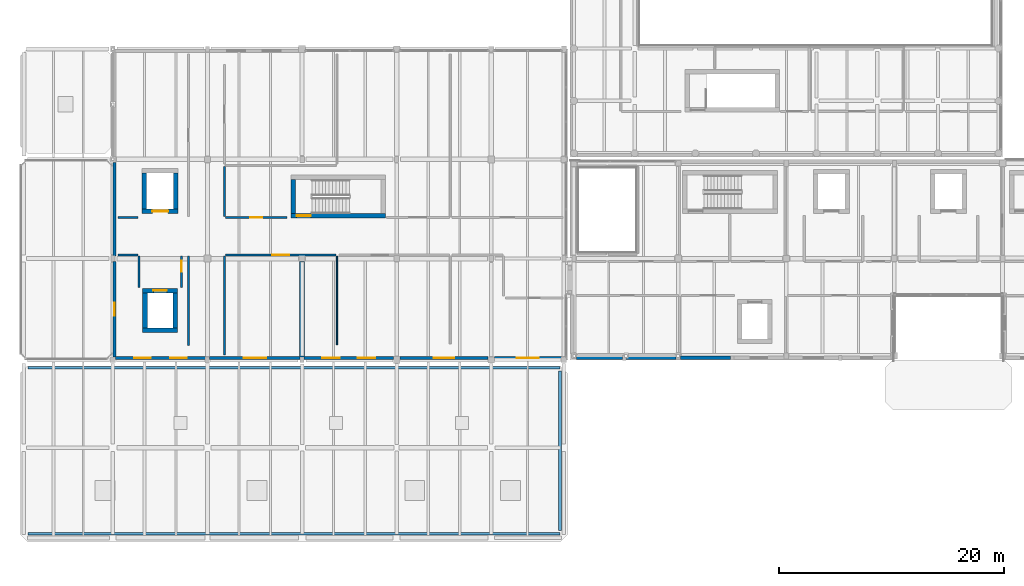
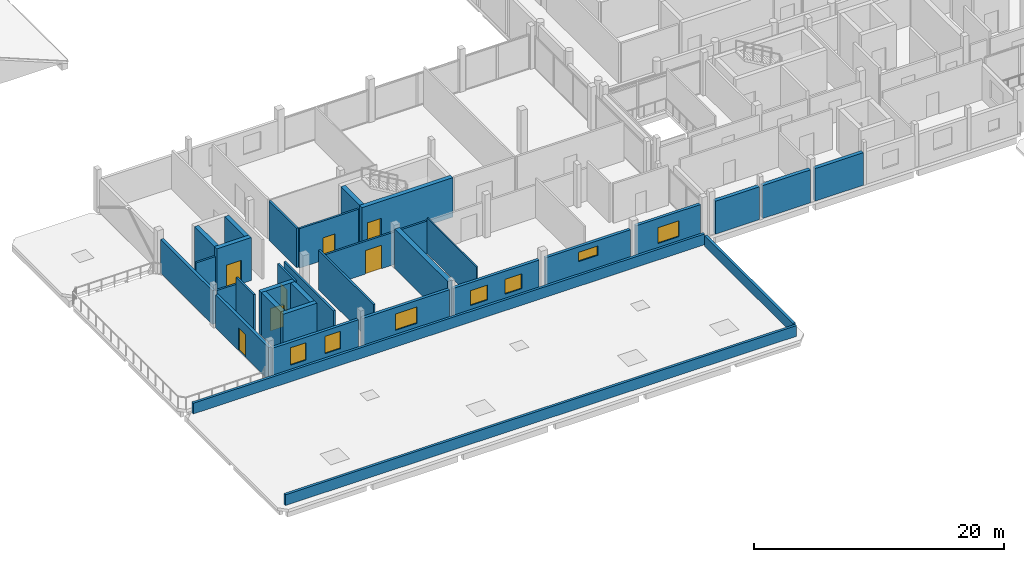
# One storey, part 40 of 66: 33 walls, 7 doors, 7 windows, 14 openings.
"""IFC4 building model written with IfcOpenShell, lengths in metres."""

from ifc_helpers import new_model, si_unit, direction, frame, frame_2d, origin, place, context, subcontext, project, spatial, rectangle, extrude, material, layer, layer_set, type_object, element, fill, save


model = new_model("IFC4")

# Units and contexts
model_context = context("Model", 3, precision=1e-05, world=origin(), true_north=direction((0.0, 1.0)))
body_context = subcontext(model_context, "Body", "Model", "MODEL_VIEW")
ifc_project = project(units=[si_unit("LENGTHUNIT", "METRE"), si_unit("AREAUNIT", "SQUARE_METRE"), si_unit("VOLUMEUNIT", "CUBIC_METRE"), si_unit("PLANEANGLEUNIT", "RADIAN"), si_unit("MASSUNIT", "GRAM", prefix="KILO")], contexts=[model_context])

# Site, building, storey
site_placement = place(None, origin())
site = spatial("IfcSite", under=ifc_project, at=site_placement, CompositionType="ELEMENT")
building_placement = place(site_placement, origin())
building = spatial("IfcBuilding", under=site, at=building_placement, Name="Birchvale Park Specialist Clinic", CompositionType="ELEMENT")
storey_placement = place(building_placement, frame((0.0, 0.0, 5.39990234375)))
storey = spatial("IfcBuildingStorey", under=building, at=storey_placement, Name="L01", CompositionType="ELEMENT", Elevation=5.39990234375)

# Wall, opening, door
ifc_material_1 = material(Name="Concrete C40/50", Category="concrete")
ifc_layer_1 = layer(ifc_material_1, 0.39990234375)
ifc_layer_set_1 = layer_set([ifc_layer_1], Name="Concrete C40/50")
wall_type_1 = type_object("IfcWallType", Name="WL-CW-120", PredefinedType="SHEAR", material=ifc_layer_set_1)
wall_1_placement = place(storey_placement, frame((27.0, 29.60009765625, 0.0), z_axis=(0.0, 0.0, 1.0), x_axis=(1.0, 0.0, 0.0)))
wall_1 = element("IfcWall", 1, at=wall_1_placement, inside=storey, type_object=wall_type_1, Name="L01 stair ST2 EI 120 enclosure wall (south)", PredefinedType="SHEAR", context=body_context, shape_type="SweptSolid", body=[
    extrude(rectangle(XDim=8.39990234375, YDim=0.39990234375, at=frame_2d((4.199951171875, 0.0))), origin(), (0.0, 0.0, 1.0), 3.85009765625),
])
opening_1_placement = place(wall_1_placement, frame((0.52001953125, 0.0, 0.0)))
opening_1 = element("IfcOpeningElement", 2, at=opening_1_placement, cuts=wall_1, Name="Opening ID-FD60", PredefinedType="OPENING", context=body_context, shape_type="SweptSolid", body=[
    extrude(rectangle(XDim=1.25, YDim=2.199951171875, at=frame_2d((0.625, 1.10009765625))), frame((0.0, 0.2099609375, 0.0), z_axis=(0.0, -1.0, 0.0), x_axis=(1.0, 0.0, 0.0)), (0.0, 0.0, 1.0), 0.419921875),
])
ifc_material_2 = material(Name="Solid-core birch veneer and anodised aluminium", Category="aluminium")
door_type_1 = type_object("IfcDoorType", Name="DR-ID-FD60", OperationType="NOTDEFINED", PredefinedType="DOOR", material=ifc_material_2)
door_1_placement = place(opening_1_placement, origin())
door_1 = element("IfcDoor", 3, at=door_1_placement, inside=storey, type_object=door_type_1, Name="L01 stair ST2 fire door", OperationType="SINGLE_SWING_LEFT", OverallHeight=2.199951171875, OverallWidth=1.25, PredefinedType="DOOR", context=body_context, shape_type="SweptSolid", body=[
    extrude(rectangle(XDim=1.25, YDim=2.199951171875, at=frame_2d((0.625, 1.10009765625))), frame((0.0, 0.02490234375, 0.0), z_axis=(0.0, -1.0, 0.0), x_axis=(1.0, 0.0, 0.0)), (0.0, 0.0, 1.0), 0.050048828125),
])
fill(opening_1, door_1)

# Walls
wall_2_placement = place(storey_placement, frame((27.199951171875, 29.800048828125, 0.0), z_axis=(0.0, 0.0, 1.0), x_axis=(0.0, 1.0, 0.0)))
element("IfcWall", 4, at=wall_2_placement, inside=storey, type_object=wall_type_1, Name="L01 stair ST2 EI 120 enclosure wall (west)", PredefinedType="SHEAR", context=body_context, shape_type="SweptSolid", body=[
    extrude(rectangle(XDim=3.0, YDim=0.39990234375, at=frame_2d((1.5, 0.0))), origin(), (0.0, 0.0, 1.0), 3.85009765625),
])
wall_3_placement = place(storey_placement, frame((13.85009765625, 19.449951171875, 0.0), z_axis=(0.0, 0.0, 1.0), x_axis=(1.0, 0.0, 0.0)))
element("IfcWall", 5, at=wall_3_placement, inside=storey, type_object=wall_type_1, Name="L01 lift LP3 shaft wall (south)", PredefinedType="SHEAR", context=body_context, shape_type="SweptSolid", body=[
    extrude(rectangle(XDim=3.099853515625, YDim=0.39990234375, at=frame_2d((1.5498046875, 0.0))), origin(), (0.0, 0.0, 1.0), 4.2001953125),
])

# Wall, opening, door
wall_4_placement = place(storey_placement, frame((16.949951171875, 22.949951171875, 0.0), z_axis=(0.0, 0.0, 1.0), x_axis=(-1.0, 0.0, 0.0)))
wall_4 = element("IfcWall", 6, at=wall_4_placement, inside=storey, type_object=wall_type_1, Name="L01 lift LP3 shaft wall (north)", PredefinedType="SHEAR", context=body_context, shape_type="SweptSolid", body=[
    extrude(rectangle(XDim=3.099853515625, YDim=0.39990234375, at=frame_2d((1.5498046875, 0.0))), origin(), (0.0, 0.0, 1.0), 4.2001953125),
])
opening_2_placement = place(wall_4_placement, frame((0.949951171875, 0.0, 0.0)))
opening_2 = element("IfcOpeningElement", 7, at=opening_2_placement, cuts=wall_4, Name="Opening LD-01", PredefinedType="OPENING", context=body_context, shape_type="SweptSolid", body=[
    extrude(rectangle(XDim=1.199951171875, YDim=2.199951171875, at=frame_2d((0.60009765625, 1.10009765625))), frame((0.0, 0.2099609375, 0.0), z_axis=(0.0, -1.0, 0.0), x_axis=(1.0, 0.0, 0.0)), (0.0, 0.0, 1.0), 0.419921875),
])
door_type_2 = type_object("IfcDoorType", Name="DR-LD-01", OperationType="DOUBLE_DOOR_SLIDING", PredefinedType="DOOR", material=ifc_material_2)
door_2_placement = place(opening_2_placement, origin())
door_2 = element("IfcDoor", 8, at=door_2_placement, inside=storey, type_object=door_type_2, Name="L01 lift LP3 sliding landing door", OperationType="DOUBLE_DOOR_SLIDING", OverallHeight=2.199951171875, OverallWidth=1.199951171875, PredefinedType="DOOR", context=body_context, shape_type="SweptSolid", body=[
    extrude(rectangle(XDim=1.199951171875, YDim=2.199951171875, at=frame_2d((0.60009765625, 1.10009765625))), frame((0.0, 0.02490234375, 0.0), z_axis=(0.0, -1.0, 0.0), x_axis=(1.0, 0.0, 0.0)), (0.0, 0.0, 1.0), 0.050048828125),
])
fill(opening_2, door_2)

# Walls
for number, where, z_axis, x_axis, name in (
    (9, (14.050048828125, 19.64990234375, 0.0), (0.0, 0.0, 1.0), (0.0, 1.0, 0.0), "L01 lift LP3 shaft wall (west)"),
    (10, (16.75, 22.75, 0.0), (0.0, 0.0, 1.0), (0.0, -1.0, 0.0), "L01 lift LP3 shaft wall (east)"),
):
    element("IfcWall", number, at=place(storey_placement, frame(where, z_axis=z_axis, x_axis=x_axis)), inside=storey, type_object=wall_type_1, Name=name, PredefinedType="SHEAR", context=body_context, shape_type="SweptSolid", body=[
        extrude(rectangle(XDim=3.10009765625, YDim=0.39990234375, at=frame_2d((1.550048828125, 0.0))), origin(), (0.0, 0.0, 1.0), 4.2001953125),
    ])

# Wall, opening, door
wall_5_placement = place(storey_placement, frame((13.800048828125, 30.0, 0.0), z_axis=(0.0, 0.0, 1.0), x_axis=(1.0, 0.0, 0.0)))
wall_5 = element("IfcWall", 11, at=wall_5_placement, inside=storey, type_object=wall_type_1, Name="L01 lift LS1 shaft wall (south)", PredefinedType="SHEAR", context=body_context, shape_type="SweptSolid", body=[
    extrude(rectangle(XDim=3.199951171875, YDim=0.39990234375, at=frame_2d((1.60009765625, 0.0))), origin(), (0.0, 0.0, 1.0), 4.2001953125),
])
opening_3_placement = place(wall_5_placement, frame((0.89990234375, 0.0, 0.0)))
opening_3 = element("IfcOpeningElement", 12, at=opening_3_placement, cuts=wall_5, Name="Opening LD-03", PredefinedType="OPENING", context=body_context, shape_type="SweptSolid", body=[
    extrude(rectangle(XDim=1.39990234375, YDim=2.300048828125, at=frame_2d((0.699951171875, 1.14990234375))), frame((0.0, 0.2099609375, 0.0), z_axis=(0.0, -1.0, 0.0), x_axis=(1.0, 0.0, 0.0)), (0.0, 0.0, 1.0), 0.419921875),
])
door_type_3 = type_object("IfcDoorType", Name="DR-LD-03", OperationType="DOUBLE_DOOR_SLIDING", PredefinedType="DOOR", material=ifc_material_2)
door_3_placement = place(opening_3_placement, origin())
door_3 = element("IfcDoor", 13, at=door_3_placement, inside=storey, type_object=door_type_3, Name="L01 lift LS1 sliding landing door", OperationType="DOUBLE_DOOR_SLIDING", OverallHeight=2.300048828125, OverallWidth=1.39990234375, PredefinedType="DOOR", context=body_context, shape_type="SweptSolid", body=[
    extrude(rectangle(XDim=1.39990234375, YDim=2.300048828125, at=frame_2d((0.699951171875, 1.14990234375))), frame((0.0, 0.02490234375, 0.0), z_axis=(0.0, -1.0, 0.0), x_axis=(1.0, 0.0, 0.0)), (0.0, 0.0, 1.0), 0.050048828125),
])
fill(opening_3, door_3)

# Walls
for number, where, z_axis, x_axis, name in (
    (14, (14.0, 30.199951171875, 0.0), (0.0, 0.0, 1.0), (0.0, 1.0, 0.0), "L01 lift LS1 shaft wall (west)"),
    (15, (16.800048828125, 33.39990234375, 0.0), (0.0, 0.0, 1.0), (0.0, -1.0, 0.0), "L01 lift LS1 shaft wall (east)"),
):
    element("IfcWall", number, at=place(storey_placement, frame(where, z_axis=z_axis, x_axis=x_axis)), inside=storey, type_object=wall_type_1, Name=name, PredefinedType="SHEAR", context=body_context, shape_type="SweptSolid", body=[
        extrude(rectangle(XDim=3.199951171875, YDim=0.39990234375, at=frame_2d((1.60009765625, 0.0))), origin(), (0.0, 0.0, 1.0), 4.2001953125),
    ])
ifc_material_3 = material(Name="Lime-white mineral-rendered insulated masonry", Category="masonry")
ifc_layer_2 = layer(ifc_material_3, 0.340087890625)
ifc_layer_set_2 = layer_set([ifc_layer_2], Name="Lime-white mineral-rendered insulated masonry")
wall_type_2 = type_object("IfcWallType", Name="WL-EW-01", PredefinedType="STANDARD", material=ifc_layer_set_2)
wall_6_placement = place(storey_placement, frame((52.385009765625, 16.989990234375, 0.0), z_axis=(0.0, 0.0, 1.0), x_axis=(1.0, 0.0, 0.0)))
element("IfcWall", 16, at=wall_6_placement, inside=storey, type_object=wall_type_2, Name="V4 L01 exterior facade wall 137", PredefinedType="STANDARD", context=body_context, shape_type="SweptSolid", body=[
    extrude(rectangle(XDim=4.06005859375, YDim=0.340087890625, at=frame_2d((2.030029296875, 0.0))), origin(), (0.0, 0.0, 1.0), 3.215087890625),
])
wall_7_placement = place(storey_placement, frame((56.7548828125, 16.989990234375, 0.0), z_axis=(0.0, 0.0, 1.0), x_axis=(1.0, 0.0, 0.0)))
element("IfcWall", 17, at=wall_7_placement, inside=storey, type_object=wall_type_2, Name="V4 L01 exterior facade wall 138", PredefinedType="STANDARD", context=body_context, shape_type="SweptSolid", body=[
    extrude(rectangle(XDim=4.440185546875, YDim=0.340087890625, at=frame_2d((2.22021484375, 0.0))), origin(), (0.0, 0.0, 1.0), 3.215087890625),
])
wall_8_placement = place(storey_placement, frame((61.60498046875, 16.989990234375, 0.0), z_axis=(0.0, 0.0, 1.0), x_axis=(1.0, 0.0, 0.0)))
element("IfcWall", 18, at=wall_8_placement, inside=storey, type_object=wall_type_2, Name="V4 L01 exterior facade wall 139", PredefinedType="STANDARD", context=body_context, shape_type="SweptSolid", body=[
    extrude(rectangle(XDim=4.4599609375, YDim=0.340087890625, at=frame_2d((2.22998046875, 0.0))), origin(), (0.0, 0.0, 1.0), 3.18505859375),
])

# Wall, openings, windows
ifc_layer_3 = layer(ifc_material_3, 0.27001953125)
ifc_layer_set_3 = layer_set([ifc_layer_3], Name="Lime-white mineral-rendered insulated masonry")
wall_type_3 = type_object("IfcWallType", Name="WL-EW-04", PredefinedType="STANDARD", material=ifc_layer_set_3)
wall_9_placement = place(storey_placement, frame((11.445068359375, 16.955078125, 0.0), z_axis=(0.0, 0.0, 1.0), x_axis=(1.0, 0.0, 0.0)))
wall_9 = element("IfcWall", 19, at=wall_9_placement, inside=storey, type_object=wall_type_3, Name="V2 L01 exterior facade wall 127", PredefinedType="STANDARD", context=body_context, shape_type="SweptSolid", body=[
    extrude(rectangle(XDim=7.9599609375, YDim=0.27001953125, at=frame_2d((3.97998046875, 0.0))), origin(), (0.0, 0.0, 1.0), 3.18505859375),
])
opening_4_placement = place(wall_9_placement, frame((1.6630859375, 0.0, 0.949951171875)))
opening_4 = element("IfcOpeningElement", 20, at=opening_4_placement, cuts=wall_9, Name="Opening W-CL12", PredefinedType="OPENING", context=body_context, shape_type="SweptSolid", body=[
    extrude(rectangle(XDim=1.449951171875, YDim=1.699951171875, at=frame_2d((0.72509765625, 0.85009765625))), frame((0.0, 0.14501953125, 0.0), z_axis=(0.0, -1.0, 0.0), x_axis=(1.0, 0.0, 0.0)), (0.0, 0.0, 1.0), 0.2900390625),
])
opening_5_placement = place(wall_9_placement, frame((4.846923828125, 0.0, 0.949951171875)))
opening_5 = element("IfcOpeningElement", 21, at=opening_5_placement, cuts=wall_9, Name="Opening W-CL12", PredefinedType="OPENING", context=body_context, shape_type="SweptSolid", body=[
    extrude(rectangle(XDim=1.449951171875, YDim=1.699951171875, at=frame_2d((0.72509765625, 0.85009765625))), frame((0.0, 0.14501953125, 0.0), z_axis=(0.0, -1.0, 0.0), x_axis=(1.0, 0.0, 0.0)), (0.0, 0.0, 1.0), 0.2900390625),
])
ifc_material_4 = material(Name="Solar-control low-E double glazing", Category="glass")
window_type_1 = type_object("IfcWindowType", Name="WIN-W-CL12", PartitioningType="SINGLE_PANEL", PredefinedType="WINDOW", material=ifc_material_4)
window_1_placement = place(opening_4_placement, origin())
window_1 = element("IfcWindow", 22, at=window_1_placement, inside=storey, type_object=window_type_1, Name="V2 L01 cased window 25", OverallHeight=1.699951171875, OverallWidth=1.449951171875, PartitioningType="SINGLE_PANEL", PredefinedType="WINDOW", context=body_context, shape_type="SweptSolid", body=[
    extrude(rectangle(XDim=1.449951171875, YDim=1.699951171875, at=frame_2d((0.72509765625, 0.85009765625))), frame((0.0, 0.030029296875, 0.0), z_axis=(0.0, -1.0, 0.0), x_axis=(1.0, 0.0, 0.0)), (0.0, 0.0, 1.0), 0.06005859375),
])
fill(opening_4, window_1)
window_2_placement = place(opening_5_placement, origin())
window_2 = element("IfcWindow", 23, at=window_2_placement, inside=storey, type_object=window_type_1, Name="V2 L01 cased window 26", OverallHeight=1.699951171875, OverallWidth=1.449951171875, PartitioningType="SINGLE_PANEL", PredefinedType="WINDOW", context=body_context, shape_type="SweptSolid", body=[
    extrude(rectangle(XDim=1.449951171875, YDim=1.699951171875, at=frame_2d((0.72509765625, 0.85009765625))), frame((0.0, 0.030029296875, 0.0), z_axis=(0.0, -1.0, 0.0), x_axis=(1.0, 0.0, 0.0)), (0.0, 0.0, 1.0), 0.06005859375),
])
fill(opening_5, window_2)

# Wall, opening, window
wall_10_placement = place(storey_placement, frame((19.794921875, 16.955078125, 0.0), z_axis=(0.0, 0.0, 1.0), x_axis=(1.0, 0.0, 0.0)))
wall_10 = element("IfcWall", 24, at=wall_10_placement, inside=storey, type_object=wall_type_3, Name="V2 L01 exterior facade wall 128", PredefinedType="STANDARD", context=body_context, shape_type="SweptSolid", body=[
    extrude(rectangle(XDim=8.03515625, YDim=0.27001953125, at=frame_2d((4.017578125, 0.0))), origin(), (0.0, 0.0, 1.0), 3.18505859375),
])
opening_6_placement = place(wall_10_placement, frame((3.017578125, 0.0, 0.949951171875)))
opening_6 = element("IfcOpeningElement", 25, at=opening_6_placement, cuts=wall_10, Name="Opening W-CL06", PredefinedType="OPENING", context=body_context, shape_type="SweptSolid", body=[
    extrude(rectangle(XDim=2.0, YDim=1.60009765625, at=frame_2d((1.0, 0.800048828125))), frame((0.0, 0.14501953125, 0.0), z_axis=(0.0, -1.0, 0.0), x_axis=(1.0, 0.0, 0.0)), (0.0, 0.0, 1.0), 0.2900390625),
])
window_type_2 = type_object("IfcWindowType", Name="WIN-W-CL06", PartitioningType="SINGLE_PANEL", PredefinedType="WINDOW", material=ifc_material_4)
window_3_placement = place(opening_6_placement, origin())
window_3 = element("IfcWindow", 26, at=window_3_placement, inside=storey, type_object=window_type_2, Name="V2 L01 cased window 27", OverallHeight=1.60009765625, OverallWidth=2.0, PartitioningType="SINGLE_PANEL", PredefinedType="WINDOW", context=body_context, shape_type="SweptSolid", body=[
    extrude(rectangle(XDim=2.0, YDim=1.60009765625, at=frame_2d((1.0, 0.800048828125))), frame((0.0, 0.030029296875, 0.0), z_axis=(0.0, -1.0, 0.0), x_axis=(1.0, 0.0, 0.0)), (0.0, 0.0, 1.0), 0.06005859375),
])
fill(opening_6, window_3)

# Wall, openings, windows
wall_11_placement = place(storey_placement, frame((28.169921875, 16.955078125, 0.0), z_axis=(0.0, 0.0, 1.0), x_axis=(1.0, 0.0, 0.0)))
wall_11 = element("IfcWall", 27, at=wall_11_placement, inside=storey, type_object=wall_type_3, Name="V2 L01 exterior facade wall 129", PredefinedType="STANDARD", context=body_context, shape_type="SweptSolid", body=[
    extrude(rectangle(XDim=7.93505859375, YDim=0.27001953125, at=frame_2d((3.967529296875, 0.0))), origin(), (0.0, 0.0, 1.0), 3.18505859375),
])
opening_7_placement = place(wall_11_placement, frame((1.60546875, 0.0, 0.949951171875)))
opening_7 = element("IfcOpeningElement", 28, at=opening_7_placement, cuts=wall_11, Name="Opening W-CL15", PredefinedType="OPENING", context=body_context, shape_type="SweptSolid", body=[
    extrude(rectangle(XDim=1.550048828125, YDim=1.449951171875, at=frame_2d((0.77490234375, 0.72509765625))), frame((0.0, 0.14501953125, 0.0), z_axis=(0.0, -1.0, 0.0), x_axis=(1.0, 0.0, 0.0)), (0.0, 0.0, 1.0), 0.2900390625),
])
opening_8_placement = place(wall_11_placement, frame((4.779541015625, 0.0, 0.949951171875)))
opening_8 = element("IfcOpeningElement", 29, at=opening_8_placement, cuts=wall_11, Name="Opening W-CL15", PredefinedType="OPENING", context=body_context, shape_type="SweptSolid", body=[
    extrude(rectangle(XDim=1.550048828125, YDim=1.449951171875, at=frame_2d((0.77490234375, 0.72509765625))), frame((0.0, 0.14501953125, 0.0), z_axis=(0.0, -1.0, 0.0), x_axis=(1.0, 0.0, 0.0)), (0.0, 0.0, 1.0), 0.2900390625),
])
window_type_3 = type_object("IfcWindowType", Name="WIN-W-CL15", PartitioningType="SINGLE_PANEL", PredefinedType="WINDOW", material=ifc_material_4)
window_4_placement = place(opening_7_placement, origin())
window_4 = element("IfcWindow", 30, at=window_4_placement, inside=storey, type_object=window_type_3, Name="V2 L01 cased window 28", OverallHeight=1.449951171875, OverallWidth=1.550048828125, PartitioningType="SINGLE_PANEL", PredefinedType="WINDOW", context=body_context, shape_type="SweptSolid", body=[
    extrude(rectangle(XDim=1.550048828125, YDim=1.449951171875, at=frame_2d((0.77490234375, 0.72509765625))), frame((0.0, 0.030029296875, 0.0), z_axis=(0.0, -1.0, 0.0), x_axis=(1.0, 0.0, 0.0)), (0.0, 0.0, 1.0), 0.06005859375),
])
fill(opening_7, window_4)
window_5_placement = place(opening_8_placement, origin())
window_5 = element("IfcWindow", 31, at=window_5_placement, inside=storey, type_object=window_type_3, Name="V2 L01 cased window 29", OverallHeight=1.449951171875, OverallWidth=1.550048828125, PartitioningType="SINGLE_PANEL", PredefinedType="WINDOW", context=body_context, shape_type="SweptSolid", body=[
    extrude(rectangle(XDim=1.550048828125, YDim=1.449951171875, at=frame_2d((0.77490234375, 0.72509765625))), frame((0.0, 0.030029296875, 0.0), z_axis=(0.0, -1.0, 0.0), x_axis=(1.0, 0.0, 0.0)), (0.0, 0.0, 1.0), 0.06005859375),
])
fill(opening_8, window_5)

# Wall, opening, window
wall_12_placement = place(storey_placement, frame((36.695068359375, 16.955078125, 0.0), z_axis=(0.0, 0.0, 1.0), x_axis=(1.0, 0.0, 0.0)))
wall_12 = element("IfcWall", 32, at=wall_12_placement, inside=storey, type_object=wall_type_3, Name="V2 L01 exterior facade wall 130", PredefinedType="STANDARD", context=body_context, shape_type="SweptSolid", body=[
    extrude(rectangle(XDim=7.8349609375, YDim=0.27001953125, at=frame_2d((3.91748046875, 0.0))), origin(), (0.0, 0.0, 1.0), 3.18505859375),
])
opening_9_placement = place(wall_12_placement, frame((3.017578125, 0.0, 1.75)))
opening_9 = element("IfcOpeningElement", 33, at=opening_9_placement, cuts=wall_12, Name="Opening W-CL09", PredefinedType="OPENING", context=body_context, shape_type="SweptSolid", body=[
    extrude(rectangle(XDim=1.800048828125, YDim=0.89990234375, at=frame_2d((0.89990234375, 0.449951171875))), frame((0.0, 0.14501953125, 0.0), z_axis=(0.0, -1.0, 0.0), x_axis=(1.0, 0.0, 0.0)), (0.0, 0.0, 1.0), 0.2900390625),
])
window_type_4 = type_object("IfcWindowType", Name="WIN-W-CL09", PartitioningType="SINGLE_PANEL", PredefinedType="WINDOW", material=ifc_material_4)
window_6_placement = place(opening_9_placement, origin())
window_6 = element("IfcWindow", 34, at=window_6_placement, inside=storey, type_object=window_type_4, Name="V2 L01 cased window 30", OverallHeight=0.89990234375, OverallWidth=1.800048828125, PartitioningType="SINGLE_PANEL", PredefinedType="WINDOW", context=body_context, shape_type="SweptSolid", body=[
    extrude(rectangle(XDim=1.800048828125, YDim=0.89990234375, at=frame_2d((0.89990234375, 0.449951171875))), frame((0.0, 0.030029296875, 0.0), z_axis=(0.0, -1.0, 0.0), x_axis=(1.0, 0.0, 0.0)), (0.0, 0.0, 1.0), 0.06005859375),
])
fill(opening_9, window_6)

wall_13_placement = place(storey_placement, frame((45.070068359375, 16.955078125, 0.0), z_axis=(0.0, 0.0, 1.0), x_axis=(1.0, 0.0, 0.0)))
wall_13 = element("IfcWall", 35, at=wall_13_placement, inside=storey, type_object=wall_type_3, Name="V2 L01 exterior facade wall 131", PredefinedType="STANDARD", context=body_context, shape_type="SweptSolid", body=[
    extrude(rectangle(XDim=5.94482421875, YDim=0.27001953125, at=frame_2d((2.972412109375, 0.0))), origin(), (0.0, 0.0, 1.0), 3.385009765625),
])
opening_10_placement = place(wall_13_placement, frame((1.99755859375, 0.0, 0.949951171875)))
opening_10 = element("IfcOpeningElement", 36, at=opening_10_placement, cuts=wall_13, Name="Opening W-CL17", PredefinedType="OPENING", context=body_context, shape_type="SweptSolid", body=[
    extrude(rectangle(XDim=1.949951171875, YDim=1.550048828125, at=frame_2d((0.97509765625, 0.77490234375))), frame((0.0, 0.14501953125, 0.0), z_axis=(0.0, -1.0, 0.0), x_axis=(1.0, 0.0, 0.0)), (0.0, 0.0, 1.0), 0.2900390625),
])
window_type_5 = type_object("IfcWindowType", Name="WIN-W-CL17", PartitioningType="SINGLE_PANEL", PredefinedType="WINDOW", material=ifc_material_4)
window_7_placement = place(opening_10_placement, origin())
window_7 = element("IfcWindow", 37, at=window_7_placement, inside=storey, type_object=window_type_5, Name="V2 L01 cased window 31", OverallHeight=1.550048828125, OverallWidth=1.949951171875, PartitioningType="SINGLE_PANEL", PredefinedType="WINDOW", context=body_context, shape_type="SweptSolid", body=[
    extrude(rectangle(XDim=1.949951171875, YDim=1.550048828125, at=frame_2d((0.97509765625, 0.77490234375))), frame((0.0, 0.030029296875, 0.0), z_axis=(0.0, -1.0, 0.0), x_axis=(1.0, 0.0, 0.0)), (0.0, 0.0, 1.0), 0.06005859375),
])
fill(opening_10, window_7)

# Wall
wall_14_placement = place(storey_placement, frame((11.35498046875, 34.330078125, 0.0), z_axis=(0.0, 0.0, 1.0), x_axis=(0.0, -1.0, 0.0)))
element("IfcWall", 38, at=wall_14_placement, inside=storey, type_object=wall_type_3, Name="V2 L01 exterior facade wall 135", PredefinedType="STANDARD", context=body_context, shape_type="SweptSolid", body=[
    extrude(rectangle(XDim=8.28515625, YDim=0.27001953125, at=frame_2d((4.142578125, 0.0))), origin(), (0.0, 0.0, 1.0), 3.295166015625),
])

# Wall, opening, door
wall_15_placement = place(storey_placement, frame((11.35498046875, 25.554931640625, 0.0), z_axis=(0.0, 0.0, 1.0), x_axis=(0.0, -1.0, 0.0)))
wall_15 = element("IfcWall", 39, at=wall_15_placement, inside=storey, type_object=wall_type_3, Name="V2 L01 exterior facade wall 136", PredefinedType="STANDARD", context=body_context, shape_type="SweptSolid", body=[
    extrude(rectangle(XDim=8.510009765625, YDim=0.27001953125, at=frame_2d((4.2548828125, 0.0))), origin(), (0.0, 0.0, 1.0), 3.195068359375),
])
opening_11_placement = place(wall_15_placement, frame((3.679931640625, 0.0, 0.0)))
opening_11 = element("IfcOpeningElement", 40, at=opening_11_placement, cuts=wall_15, Name="Opening ED-05", PredefinedType="OPENING", context=body_context, shape_type="SweptSolid", body=[
    extrude(rectangle(XDim=1.14990234375, YDim=2.199951171875, at=frame_2d((0.574951171875, 1.10009765625))), frame((0.0, 0.14501953125, 0.0), z_axis=(0.0, -1.0, 0.0), x_axis=(1.0, 0.0, 0.0)), (0.0, 0.0, 1.0), 0.2900390625),
])
ifc_material_5 = material(Name="Powder-coated aluminium and laminated safety glass", Category="aluminium")
door_type_4 = type_object("IfcDoorType", Name="DR-ED-05", OperationType="NOTDEFINED", PredefinedType="DOOR", material=ifc_material_5)
door_4_placement = place(opening_11_placement, frame((1.14990234375, 0.0, 0.0), z_axis=(0.0, 0.0, 1.0), x_axis=(-1.0, 0.0, 0.0)))
door_4 = element("IfcDoor", 41, at=door_4_placement, inside=storey, type_object=door_type_4, Name="V2 L01 accessible roof terrace door 33", OperationType="SINGLE_SWING_RIGHT", OverallHeight=2.199951171875, OverallWidth=1.14990234375, PredefinedType="DOOR", context=body_context, shape_type="SweptSolid", body=[
    extrude(rectangle(XDim=1.14990234375, YDim=2.199951171875, at=frame_2d((0.574951171875, 1.10009765625))), frame((0.0, 0.02490234375, 0.0), z_axis=(0.0, -1.0, 0.0), x_axis=(1.0, 0.0, 0.0)), (0.0, 0.0, 1.0), 0.050048828125),
])
fill(opening_11, door_4)

# Wall
ifc_material_6 = material(Name="Acoustic gypsum board on metal framing")
ifc_layer_4 = layer(ifc_material_6, 0.114990234375)
ifc_layer_set_4 = layer_set([ifc_layer_4], Name="Acoustic gypsum board on metal framing")
wall_type_4 = type_object("IfcWallType", Name="WL-IW-05", PredefinedType="PARTITIONING", material=ifc_layer_set_4)
wall_16_placement = place(storey_placement, frame((31.106689453125, 26.02001953125, 0.0), z_axis=(0.0, 0.0, 1.0), x_axis=(0.0, -1.0, 0.0)))
element("IfcWall", 42, at=wall_16_placement, inside=storey, type_object=wall_type_4, Name="V2 L01 clinical partition 307", PredefinedType="PARTITIONING", context=body_context, shape_type="SweptSolid", body=[
    extrude(rectangle(XDim=7.89013671875, YDim=0.114990234375, at=frame_2d((3.945068359375, 0.0))), origin(), (0.0, 0.0, 1.0), 3.484130859375),
])

# Wall, opening, door
ifc_layer_5 = layer(ifc_material_6, 0.179931640625)
ifc_layer_set_5 = layer_set([ifc_layer_5], Name="Acoustic gypsum board on metal framing")
wall_type_5 = type_object("IfcWallType", Name="WL-IW-60", PredefinedType="PARTITIONING", material=ifc_layer_set_5)
wall_17_placement = place(storey_placement, frame((17.300048828125, 23.22998046875, 0.0), z_axis=(0.0, 0.0, 1.0), x_axis=(0.0, 1.0, 0.0)))
wall_17 = element("IfcWall", 43, at=wall_17_placement, inside=storey, type_object=wall_type_5, Name="V2 L01 clinical partition 301", PredefinedType="PARTITIONING", context=body_context, shape_type="SweptSolid", body=[
    extrude(rectangle(XDim=2.7900390625, YDim=0.179931640625, at=frame_2d((1.39501953125, 0.0))), origin(), (0.0, 0.0, 1.0), 3.85009765625),
])
opening_12_placement = place(wall_17_placement, frame((1.39501953125, 0.0, 0.0)))
opening_12 = element("IfcOpeningElement", 44, at=opening_12_placement, cuts=wall_17, Name="Opening ID-01", PredefinedType="OPENING", context=body_context, shape_type="SweptSolid", body=[
    extrude(rectangle(XDim=1.0, YDim=2.14990234375, at=frame_2d((0.5, 1.074951171875))), frame((0.0, 0.10009765625, 0.0), z_axis=(0.0, -1.0, 0.0), x_axis=(1.0, 0.0, 0.0)), (0.0, 0.0, 1.0), 0.199951171875),
])
door_type_5 = type_object("IfcDoorType", Name="DR-ID-01", OperationType="NOTDEFINED", PredefinedType="DOOR", material=ifc_material_2)
door_5_placement = place(opening_12_placement, origin())
door_5 = element("IfcDoor", 45, at=door_5_placement, inside=storey, type_object=door_type_5, Name="L01 PET-CT Diagnostic Imaging Suite door", OperationType="SINGLE_SWING_LEFT", OverallHeight=2.14990234375, OverallWidth=1.0, PredefinedType="DOOR", context=body_context, shape_type="SweptSolid", body=[
    extrude(rectangle(XDim=1.0, YDim=2.14990234375, at=frame_2d((0.5, 1.074951171875))), frame((0.0, 0.02490234375, 0.0), z_axis=(0.0, -1.0, 0.0), x_axis=(1.0, 0.0, 0.0)), (0.0, 0.0, 1.0), 0.050048828125),
])
fill(opening_12, door_5)

# Walls
wall_18_placement = place(storey_placement, frame((17.89990234375, 26.02001953125, 0.0), z_axis=(0.0, 0.0, 1.0), x_axis=(0.0, -1.0, 0.0)))
element("IfcWall", 46, at=wall_18_placement, inside=storey, type_object=wall_type_5, Name="V2 L01 clinical partition 302", PredefinedType="PARTITIONING", context=body_context, shape_type="SweptSolid", body=[
    extrude(rectangle(XDim=7.93994140625, YDim=0.179931640625, at=frame_2d((3.969970703125, 0.0))), origin(), (0.0, 0.0, 1.0), 3.85009765625),
])
wall_19_placement = place(storey_placement, frame((11.639892578125, 26.10009765625, 0.0), z_axis=(0.0, 0.0, 1.0), x_axis=(1.0, 0.0, 0.0)))
element("IfcWall", 47, at=wall_19_placement, inside=storey, type_object=wall_type_5, Name="V2 L01 clinical partition 303", PredefinedType="PARTITIONING", context=body_context, shape_type="SweptSolid", body=[
    extrude(rectangle(XDim=1.780029296875, YDim=0.179931640625, at=frame_2d((0.89013671875, 0.0))), origin(), (0.0, 0.0, 1.0), 3.18505859375),
])
wall_20_placement = place(storey_placement, frame((13.5, 26.02001953125, 0.0), z_axis=(0.0, 0.0, 1.0), x_axis=(0.0, -1.0, 0.0)))
element("IfcWall", 48, at=wall_20_placement, inside=storey, type_object=wall_type_5, Name="V2 L01 clinical partition 304", PredefinedType="PARTITIONING", context=body_context, shape_type="SweptSolid", body=[
    extrude(rectangle(XDim=2.7900390625, YDim=0.179931640625, at=frame_2d((1.39501953125, 0.0))), origin(), (0.0, 0.0, 1.0), 3.85009765625),
])
wall_21_placement = place(storey_placement, frame((21.10009765625, 17.239990234375, 0.0), z_axis=(0.0, 0.0, 1.0), x_axis=(0.0, 1.0, 0.0)))
element("IfcWall", 49, at=wall_21_placement, inside=storey, type_object=wall_type_5, Name="V2 L01 clinical partition 305", PredefinedType="PARTITIONING", context=body_context, shape_type="SweptSolid", body=[
    extrude(rectangle(XDim=8.780029296875, YDim=0.179931640625, at=frame_2d((4.39013671875, 0.0))), origin(), (0.0, 0.0, 1.0), 3.85009765625),
])

# Wall, opening, door
wall_22_placement = place(storey_placement, frame((21.179931640625, 26.10009765625, 0.0), z_axis=(0.0, 0.0, 1.0), x_axis=(1.0, 0.0, 0.0)))
wall_22 = element("IfcWall", 50, at=wall_22_placement, inside=storey, type_object=wall_type_5, Name="V2 L01 clinical partition 306", PredefinedType="PARTITIONING", context=body_context, shape_type="SweptSolid", body=[
    extrude(rectangle(XDim=9.8466796875, YDim=0.179931640625, at=frame_2d((4.92333984375, 0.0))), origin(), (0.0, 0.0, 1.0), 3.18505859375),
])
opening_13_placement = place(wall_22_placement, frame((4.17333984375, 0.0, 0.0)))
opening_13 = element("IfcOpeningElement", 51, at=opening_13_placement, cuts=wall_22, Name="Opening ID-07", PredefinedType="OPENING", context=body_context, shape_type="SweptSolid", body=[
    extrude(rectangle(XDim=1.5, YDim=2.300048828125, at=frame_2d((0.75, 1.14990234375))), frame((0.0, 0.10009765625, 0.0), z_axis=(0.0, -1.0, 0.0), x_axis=(1.0, 0.0, 0.0)), (0.0, 0.0, 1.0), 0.199951171875),
])
door_type_6 = type_object("IfcDoorType", Name="DR-ID-07", OperationType="DOUBLE_DOOR_SINGLE_SWING", PredefinedType="DOOR", material=ifc_material_2)
door_6_placement = place(opening_13_placement, origin())
door_6 = element("IfcDoor", 52, at=door_6_placement, inside=storey, type_object=door_type_6, Name="L01 Fluoroscopy Radiography Room door", OperationType="DOUBLE_DOOR_SINGLE_SWING", OverallHeight=2.300048828125, OverallWidth=1.5, PredefinedType="DOOR", context=body_context, shape_type="SweptSolid", body=[
    extrude(rectangle(XDim=1.5, YDim=2.300048828125, at=frame_2d((0.75, 1.14990234375))), frame((0.0, 0.02490234375, 0.0), z_axis=(0.0, -1.0, 0.0), x_axis=(1.0, 0.0, 0.0)), (0.0, 0.0, 1.0), 0.050048828125),
])
fill(opening_13, door_6)

# Walls
wall_23_placement = place(storey_placement, frame((13.419921875, 29.449951171875, 0.0), z_axis=(0.0, 0.0, 1.0), x_axis=(-1.0, 0.0, 0.0)))
element("IfcWall", 53, at=wall_23_placement, inside=storey, type_object=wall_type_5, Name="V2 L01 clinical partition 313", PredefinedType="PARTITIONING", context=body_context, shape_type="SweptSolid", body=[
    extrude(rectangle(XDim=1.780029296875, YDim=0.179931640625, at=frame_2d((0.89013671875, 0.0))), origin(), (0.0, 0.0, 1.0), 3.85009765625),
])
wall_24_placement = place(storey_placement, frame((21.10009765625, 29.530029296875, 0.0), z_axis=(0.0, 0.0, 1.0), x_axis=(0.0, 1.0, 0.0)))
element("IfcWall", 54, at=wall_24_placement, inside=storey, type_object=wall_type_5, Name="V2 L01 clinical partition 315", PredefinedType="PARTITIONING", context=body_context, shape_type="SweptSolid", body=[
    extrude(rectangle(XDim=4.43994140625, YDim=0.179931640625, at=frame_2d((2.219970703125, 0.0))), origin(), (0.0, 0.0, 1.0), 3.85009765625),
])

# Wall, opening, door
wall_25_placement = place(storey_placement, frame((26.6650390625, 29.449951171875, 0.0), z_axis=(0.0, 0.0, 1.0), x_axis=(-1.0, 0.0, 0.0)))
wall_25 = element("IfcWall", 55, at=wall_25_placement, inside=storey, type_object=wall_type_5, Name="V2 L01 clinical partition 317", PredefinedType="PARTITIONING", context=body_context, shape_type="SweptSolid", body=[
    extrude(rectangle(XDim=5.485107421875, YDim=0.179931640625, at=frame_2d((2.74267578125, 0.0))), origin(), (0.0, 0.0, 1.0), 3.85009765625),
])
opening_14_placement = place(wall_25_placement, frame((2.202392578125, 0.0, 0.0)))
opening_14 = element("IfcOpeningElement", 56, at=opening_14_placement, cuts=wall_25, Name="Opening ID-03", PredefinedType="OPENING", context=body_context, shape_type="SweptSolid", body=[
    extrude(rectangle(XDim=1.080078125, YDim=2.199951171875, at=frame_2d((0.5400390625, 1.10009765625))), frame((0.0, 0.10009765625, 0.0), z_axis=(0.0, -1.0, 0.0), x_axis=(1.0, 0.0, 0.0)), (0.0, 0.0, 1.0), 0.199951171875),
])
door_type_7 = type_object("IfcDoorType", Name="DR-ID-03", OperationType="NOTDEFINED", PredefinedType="DOOR", material=ifc_material_2)
door_7_placement = place(opening_14_placement, origin())
door_7 = element("IfcDoor", 57, at=door_7_placement, inside=storey, type_object=door_type_7, Name="L01 Accessible Patient WC door", OperationType="SINGLE_SWING_RIGHT", OverallHeight=2.199951171875, OverallWidth=1.080078125, PredefinedType="DOOR", context=body_context, shape_type="SweptSolid", body=[
    extrude(rectangle(XDim=1.080078125, YDim=2.199951171875, at=frame_2d((0.5400390625, 1.10009765625))), frame((0.0, 0.02490234375, 0.0), z_axis=(0.0, -1.0, 0.0), x_axis=(1.0, 0.0, 0.0)), (0.0, 0.0, 1.0), 0.050048828125),
])
fill(opening_14, door_7)

# Walls
ifc_layer_6 = layer(ifc_material_3, 0.22998046875)
ifc_layer_set_6 = layer_set([ifc_layer_6], Name="Lime-white mineral-rendered insulated masonry")
wall_type_6 = type_object("IfcWallType", Name="WL-PW-01", PredefinedType="PARAPET", material=ifc_layer_set_6)
wall_26_placement = place(storey_placement, frame((3.64990234375, 1.35009765625, 0.0), z_axis=(0.0, 0.0, 1.0), x_axis=(1.0, 0.0, 0.0)))
element("IfcWall", 58, at=wall_26_placement, inside=storey, type_object=wall_type_6, Name="L01 roof edge parapet 4", PredefinedType="PARAPET", context=body_context, shape_type="SweptSolid", body=[
    extrude(rectangle(XDim=47.25, YDim=0.22998046875, at=frame_2d((23.625, 0.0))), origin(), (0.0, 0.0, 1.0), 1.050048828125),
])
wall_27_placement = place(storey_placement, frame((50.89990234375, 1.64990234375, 0.0), z_axis=(0.0, 0.0, 1.0), x_axis=(0.0, 1.0, 0.0)))
element("IfcWall", 59, at=wall_27_placement, inside=storey, type_object=wall_type_6, Name="L01 roof edge parapet 5", PredefinedType="PARAPET", context=body_context, shape_type="SweptSolid", body=[
    extrude(rectangle(XDim=14.150146484375, YDim=0.22998046875, at=frame_2d((7.0751953125, 0.0))), origin(), (0.0, 0.0, 1.0), 1.050048828125),
])
wall_28_placement = place(storey_placement, frame((50.89990234375, 16.10009765625, 0.0), z_axis=(0.0, 0.0, 1.0), x_axis=(-1.0, 0.0, 0.0)))
element("IfcWall", 60, at=wall_28_placement, inside=storey, type_object=wall_type_6, Name="L01 roof edge parapet 6", PredefinedType="PARAPET", context=body_context, shape_type="SweptSolid", body=[
    extrude(rectangle(XDim=47.25, YDim=0.22998046875, at=frame_2d((23.625, 0.0))), origin(), (0.0, 0.0, 1.0), 1.050048828125),
])
ifc_layer_7 = layer(ifc_material_1, 0.449951171875)
ifc_layer_set_7 = layer_set([ifc_layer_7], Name="Concrete C40/50")
wall_type_7 = type_object("IfcWallType", Name="WL-SW-450", PredefinedType="SHEAR", material=ifc_layer_set_7)
wall_29_placement = place(storey_placement, frame((28.0, 17.050048828125, 0.0), z_axis=(0.0, 0.0, 1.0), x_axis=(0.0, 1.0, 0.0)))
element("IfcWall", 61, at=wall_29_placement, inside=storey, type_object=wall_type_7, Name="V2 L01 coupled seismic shear wall 2", PredefinedType="SHEAR", context=body_context, shape_type="SweptSolid", body=[
    extrude(rectangle(XDim=8.474853515625, YDim=0.449951171875, at=frame_2d((4.2373046875, 0.0))), origin(), (0.0, 0.0, 1.0), 3.85009765625),
])

save(model, "model.ifc")
